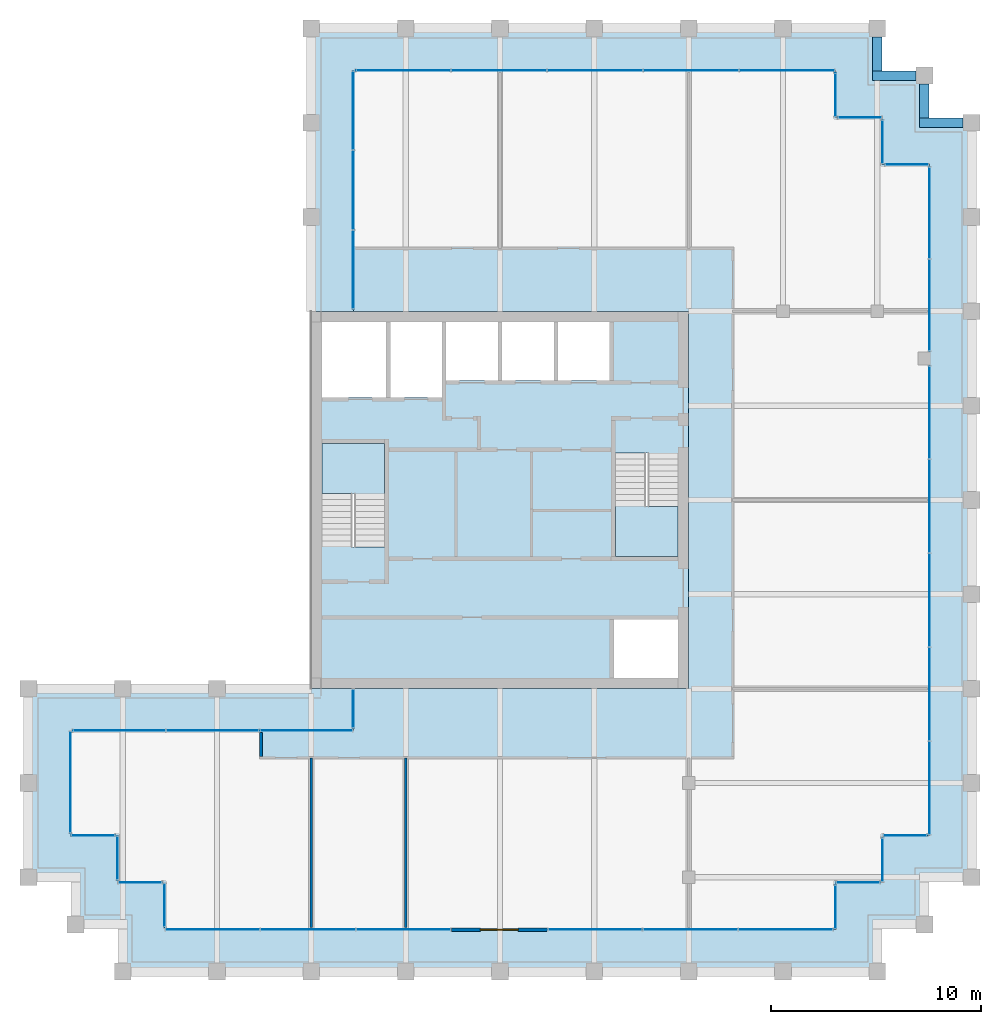
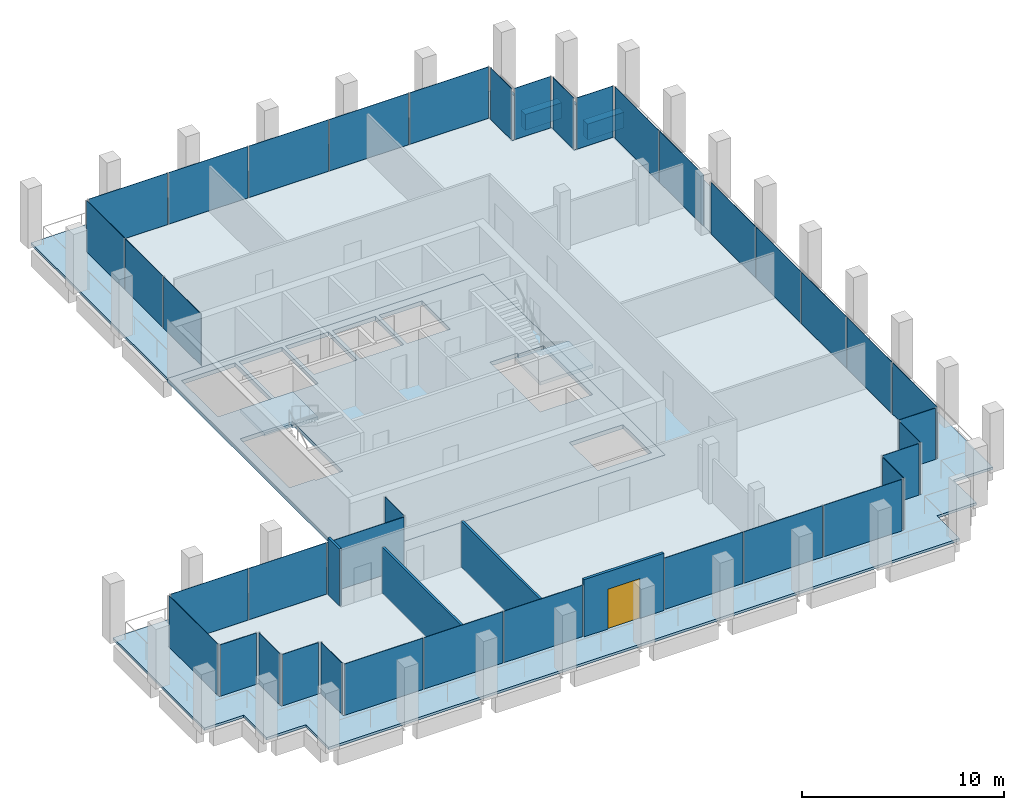
# One storey, part 27 of 30: 38 plates, 5 slabs, 4 beams, 4 walls, 1 door, 1 opening, 23 elements without a shape of their own.
"""IFC4 building model written with IfcOpenShell, lengths in metres."""

from ifc_helpers import new_model, si_unit, direction, frame, frame_2d, origin, origin_2d, place, context, subcontext, project, spatial, polyline, rectangle, outline, extrude, material, layer, layer_set, material_profile, profile_set, type_object, element, fill, aggregate, save


model = new_model("IFC4")

# Units and contexts
model_context = context("Model", 3, precision=1e-05, world=origin(), true_north=direction((0.0, 1.0)))
body_context = subcontext(model_context, "Body", "Model", "MODEL_VIEW")
ifc_project = project(units=[si_unit("LENGTHUNIT", "METRE"), si_unit("AREAUNIT", "SQUARE_METRE"), si_unit("VOLUMEUNIT", "CUBIC_METRE"), si_unit("PLANEANGLEUNIT", "RADIAN"), si_unit("MASSUNIT", "GRAM", prefix="KILO")], contexts=[model_context])

# Site, building, storey
site_placement = place(None, origin())
site = spatial("IfcSite", under=ifc_project, at=site_placement, CompositionType="ELEMENT")
building_placement = place(site_placement, origin())
building = spatial("IfcBuilding", under=site, at=building_placement, Name="Altepetl Exchange Towers", CompositionType="ELEMENT")
storey_placement = place(building_placement, frame((0.0, 0.0, 228.0)))
storey = spatial("IfcBuildingStorey", under=building, at=storey_placement, Name="L58", CompositionType="ELEMENT", Elevation=228.0)

# Beams
ifc_material_1 = material(Name="Concrete C50/60 precast with cantera rosa facing", Category="concrete")
ifc_material_profile = material_profile(ifc_material_1, rectangle(XDim=0.449951171875, YDim=0.949951171875, at=origin_2d()), Name="450 x 950")
ifc_profile_set = profile_set([ifc_material_profile], Name="Concrete C50/60 precast with cantera rosa facing")
beam_type = type_object("IfcBeamType", Name="Spandrel beam 450x950 cantera rosa", PredefinedType="SPANDREL", material=ifc_profile_set)
beam_1_placement = place(storey_placement, frame((71.60009765625, 67.5, -0.625), z_axis=(-1.0, 0.0, 0.0), x_axis=(0.0, -1.0, 0.0)))
element("IfcBeam", 1, at=beam_1_placement, inside=storey, type_object=beam_type, Name="sp:A:L58:020", PredefinedType="SPANDREL", context=body_context, shape_type="SweptSolid", body=[
    extrude(rectangle(XDim=0.449951171875, YDim=0.949951171875, at=origin_2d()), origin(), (0.0, 0.0, 1.0), 2.0751953125),
])
beam_2_placement = place(storey_placement, frame((69.75, 67.72509765625, -0.625), z_axis=(0.0, 1.0, 0.0), x_axis=(-1.0, 0.0, 0.0)))
element("IfcBeam", 2, at=beam_2_placement, inside=storey, type_object=beam_type, Name="sp:A:L58:021", PredefinedType="SPANDREL", context=body_context, shape_type="SweptSolid", body=[
    extrude(rectangle(XDim=0.449951171875, YDim=0.949951171875, at=origin_2d()), origin(), (0.0, 0.0, 1.0), 1.625),
])
beam_3_placement = place(storey_placement, frame((69.35009765625, 69.75, -0.625), z_axis=(-1.0, 0.0, 0.0), x_axis=(0.0, -1.0, 0.0)))
element("IfcBeam", 3, at=beam_3_placement, inside=storey, type_object=beam_type, Name="sp:A:L58:022", PredefinedType="SPANDREL", context=body_context, shape_type="SweptSolid", body=[
    extrude(rectangle(XDim=0.449951171875, YDim=0.949951171875, at=origin_2d()), origin(), (0.0, 0.0, 1.0), 2.0751953125),
])
beam_4_placement = place(storey_placement, frame((67.5, 69.97509765625, -0.625), z_axis=(0.0, 1.0, 0.0), x_axis=(-1.0, 0.0, 0.0)))
element("IfcBeam", 4, at=beam_4_placement, inside=storey, type_object=beam_type, Name="sp:A:L58:023", PredefinedType="SPANDREL", context=body_context, shape_type="SweptSolid", body=[
    extrude(rectangle(XDim=0.449951171875, YDim=0.949951171875, at=origin_2d()), origin(), (0.0, 0.0, 1.0), 1.625),
])

# Slabs
ifc_material_2 = material(Name="Concrete C40/50", Category="concrete")
ifc_layer_1 = layer(ifc_material_2, 0.14990234375)
ifc_layer_set_1 = layer_set([ifc_layer_1], Name="Concrete C40/50")
slab_type_1 = type_object("IfcSlabType", Name="Composite floor slab 150", PredefinedType="FLOOR", material=ifc_layer_set_1)
slab_1_placement = place(storey_placement, frame((0.0, 0.0, -0.14990234375)))
element("IfcSlab", 5, at=slab_1_placement, inside=storey, type_object=slab_type_1, Name="slab:A:L58:strip0", PredefinedType="FLOOR", context=body_context, shape_type="SweptSolid", body=[
    extrude(outline(polyline([(42.5, 70.0), (42.5, 58.5), (58.5, 58.5), (58.5, 40.5), (42.5, 40.5), (42.5, 38.5), (29.0, 38.5), (29.0, 33.5), (31.25, 33.5), (31.25, 31.25), (33.5, 31.25), (33.5, 29.0), (65.5, 29.0), (65.5, 31.25), (67.75, 31.25), (67.75, 33.5), (70.0, 33.5), (70.0, 65.5), (67.75, 65.5), (67.75, 67.75), (65.5, 67.75), (65.5, 70.0), (42.5, 70.0)])), origin(), (0.0, 0.0, 1.0), 0.14990234375),
])
ifc_layer_2 = layer(ifc_material_2, 0.25)
ifc_layer_set_2 = layer_set([ifc_layer_2], Name="Concrete C40/50")
slab_type_2 = type_object("IfcSlabType", Name="Core floor slab 250", PredefinedType="FLOOR", material=ifc_layer_set_2)
slab_2_placement = place(storey_placement, frame((0.0, 0.0, -0.25)))
element("IfcSlab", 6, at=slab_2_placement, inside=storey, type_object=slab_type_2, Name="slab:A:L58:core0", PredefinedType="FLOOR", context=body_context, shape_type="SweptSolid", body=[
    extrude(outline(polyline([(40.5, 40.5), (58.5, 40.5), (58.5, 58.5), (40.5, 58.5), (40.5, 40.5)]), holes=[polyline([(54.93310546875, 43.800048828125), (58.0, 43.800048828125), (58.0, 41.0), (54.93310546875, 41.0), (54.93310546875, 43.800048828125)]), polyline([(55.0, 51.7490234375), (56.550048828125, 51.7490234375), (56.550048828125, 51.64990234375), (58.0, 51.64990234375), (58.0, 46.800048828125), (55.0, 46.800048828125), (55.0, 51.7490234375)]), polyline([(44.0, 47.2509765625), (42.449951171875, 47.2509765625), (42.449951171875, 47.35009765625), (41.0, 47.35009765625), (41.0, 52.199951171875), (44.0, 52.199951171875), (44.0, 47.2509765625)]), polyline([(41.0, 58.0), (44.06689453125, 58.0), (44.06689453125, 54.39990234375), (41.0, 54.39990234375), (41.0, 58.0)]), polyline([(44.26708984375, 58.0), (46.73291015625, 58.0), (46.73291015625, 54.39990234375), (44.26708984375, 54.39990234375), (44.26708984375, 58.0)]), polyline([(46.93310546875, 58.0), (49.39990234375, 58.0), (49.39990234375, 55.199951171875), (46.93310546875, 55.199951171875), (46.93310546875, 58.0)]), polyline([(49.60009765625, 58.0), (52.06689453125, 58.0), (52.06689453125, 55.199951171875), (49.60009765625, 55.199951171875), (49.60009765625, 58.0)]), polyline([(52.26708984375, 58.0), (54.73291015625, 58.0), (54.73291015625, 55.199951171875), (52.26708984375, 55.199951171875), (52.26708984375, 58.0)])]), origin(), (0.0, 0.0, 1.0), 0.25),
])

# Curtain wall, plate
ifc_material_3 = material(Name="Aluminium 6063-T6 glazing", Category="aluminium")
curtain_wall_type = type_object("IfcCurtainWallType", Name="Loggia glazing system", PredefinedType="NOTDEFINED", material=ifc_material_3)
curtain_wall_1_placement = place(storey_placement, origin())
curtain_wall_1 = element("IfcCurtainWall", 7, at=curtain_wall_1_placement, inside=storey, type_object=curtain_wall_type, Name="CW1 run", PredefinedType="NOTDEFINED")
ifc_material_4 = material(Name="Glass 6-16-6 low emissivity", Category="glass")
ifc_layer_3 = layer(ifc_material_4, 0.028076171875)
ifc_layer_set_3 = layer_set([ifc_layer_3], Name="Glass 6-16-6 low emissivity")
plate_type = type_object("IfcPlateType", Name="Glass panel 28 double glazed", PredefinedType="CURTAIN_PANEL", material=ifc_layer_set_3)
plate_1_placement = place(storey_placement, frame((42.5, 39.53759765625, 0.0), z_axis=(0.0, 0.0, 1.0), x_axis=(0.0, -1.0, 0.0)))
plate_1 = element("IfcPlate", 8, at=plate_1_placement, type_object=plate_type, Name="GP1 panel", PredefinedType="CURTAIN_PANEL", context=body_context, shape_type="SweptSolid", body=[
    extrude(rectangle(XDim=1.804931640625, YDim=0.028076171875, at=origin_2d()), origin(), (0.0, 0.0, 1.0), 3.10009765625),
])
aggregate(curtain_wall_1, [plate_1])

# Curtain wall, plates
curtain_wall_2_placement = place(storey_placement, origin())
curtain_wall_2 = element("IfcCurtainWall", 9, at=curtain_wall_2_placement, inside=storey, type_object=curtain_wall_type, Name="CW1 run", PredefinedType="NOTDEFINED")
plate_2_placement = place(storey_placement, frame((40.24755859375, 38.5, 0.0), z_axis=(0.0, 0.0, 1.0), x_axis=(-1.0, 0.0, 0.0)))
plate_2 = element("IfcPlate", 10, at=plate_2_placement, type_object=plate_type, Name="GP1 panel", PredefinedType="CURTAIN_PANEL", context=body_context, shape_type="SweptSolid", body=[
    extrude(rectangle(XDim=4.385009765625, YDim=0.028076171875, at=origin_2d()), origin(), (0.0, 0.0, 1.0), 3.10009765625),
])
plate_3_placement = place(storey_placement, frame((35.78759765625, 38.5, 0.0), z_axis=(0.0, 0.0, 1.0), x_axis=(-1.0, 0.0, 0.0)))
plate_3 = element("IfcPlate", 11, at=plate_3_placement, type_object=plate_type, Name="GP1 panel", PredefinedType="CURTAIN_PANEL", context=body_context, shape_type="SweptSolid", body=[
    extrude(rectangle(XDim=4.4150390625, YDim=0.028076171875, at=origin_2d()), origin(), (0.0, 0.0, 1.0), 3.10009765625),
])
plate_4_placement = place(storey_placement, frame((31.327392578125, 38.5, 0.0), z_axis=(0.0, 0.0, 1.0), x_axis=(-1.0, 0.0, 0.0)))
plate_4 = element("IfcPlate", 12, at=plate_4_placement, type_object=plate_type, Name="GP1 panel", PredefinedType="CURTAIN_PANEL", context=body_context, shape_type="SweptSolid", body=[
    extrude(rectangle(XDim=4.385009765625, YDim=0.028076171875, at=origin_2d()), origin(), (0.0, 0.0, 1.0), 3.10009765625),
])
aggregate(curtain_wall_2, [plate_2, plate_3, plate_4])

# Curtain wall, plate
curtain_wall_3_placement = place(storey_placement, origin())
curtain_wall_3 = element("IfcCurtainWall", 13, at=curtain_wall_3_placement, inside=storey, type_object=curtain_wall_type, Name="CW1 run", PredefinedType="NOTDEFINED")
plate_5_placement = place(storey_placement, frame((29.0, 36.03759765625, 0.0), z_axis=(0.0, 0.0, 1.0), x_axis=(0.0, -1.0, 0.0)))
plate_5 = element("IfcPlate", 14, at=plate_5_placement, type_object=plate_type, Name="GP1 panel", PredefinedType="CURTAIN_PANEL", context=body_context, shape_type="SweptSolid", body=[
    extrude(rectangle(XDim=4.804931640625, YDim=0.028076171875, at=origin_2d()), origin(), (0.0, 0.0, 1.0), 3.10009765625),
])
aggregate(curtain_wall_3, [plate_5])

curtain_wall_4_placement = place(storey_placement, origin())
curtain_wall_4 = element("IfcCurtainWall", 15, at=curtain_wall_4_placement, inside=storey, type_object=curtain_wall_type, Name="CW1 run", PredefinedType="NOTDEFINED")
plate_6_placement = place(storey_placement, frame((30.08740234375, 33.5, 0.0)))
plate_6 = element("IfcPlate", 16, at=plate_6_placement, type_object=plate_type, Name="GP1 panel", PredefinedType="CURTAIN_PANEL", context=body_context, shape_type="SweptSolid", body=[
    extrude(rectangle(XDim=2.054931640625, YDim=0.028076171875, at=origin_2d()), origin(), (0.0, 0.0, 1.0), 3.10009765625),
])
aggregate(curtain_wall_4, [plate_6])

curtain_wall_5_placement = place(storey_placement, origin())
curtain_wall_5 = element("IfcCurtainWall", 17, at=curtain_wall_5_placement, inside=storey, type_object=curtain_wall_type, Name="CW1 run", PredefinedType="NOTDEFINED")
plate_7_placement = place(storey_placement, frame((31.25, 32.41259765625, 0.0), z_axis=(0.0, 0.0, 1.0), x_axis=(0.0, -1.0, 0.0)))
plate_7 = element("IfcPlate", 18, at=plate_7_placement, type_object=plate_type, Name="GP1 panel", PredefinedType="CURTAIN_PANEL", context=body_context, shape_type="SweptSolid", body=[
    extrude(rectangle(XDim=2.054931640625, YDim=0.028076171875, at=origin_2d()), origin(), (0.0, 0.0, 1.0), 3.10009765625),
])
aggregate(curtain_wall_5, [plate_7])

curtain_wall_6_placement = place(storey_placement, origin())
curtain_wall_6 = element("IfcCurtainWall", 19, at=curtain_wall_6_placement, inside=storey, type_object=curtain_wall_type, Name="CW1 run", PredefinedType="NOTDEFINED")
plate_8_placement = place(storey_placement, frame((32.33740234375, 31.25, 0.0)))
plate_8 = element("IfcPlate", 20, at=plate_8_placement, type_object=plate_type, Name="GP1 panel", PredefinedType="CURTAIN_PANEL", context=body_context, shape_type="SweptSolid", body=[
    extrude(rectangle(XDim=2.054931640625, YDim=0.028076171875, at=origin_2d()), origin(), (0.0, 0.0, 1.0), 3.10009765625),
])
aggregate(curtain_wall_6, [plate_8])

curtain_wall_7_placement = place(storey_placement, origin())
curtain_wall_7 = element("IfcCurtainWall", 21, at=curtain_wall_7_placement, inside=storey, type_object=curtain_wall_type, Name="CW1 run", PredefinedType="NOTDEFINED")
plate_9_placement = place(storey_placement, frame((33.5, 30.16259765625, 0.0), z_axis=(0.0, 0.0, 1.0), x_axis=(0.0, -1.0, 0.0)))
plate_9 = element("IfcPlate", 22, at=plate_9_placement, type_object=plate_type, Name="GP1 panel", PredefinedType="CURTAIN_PANEL", context=body_context, shape_type="SweptSolid", body=[
    extrude(rectangle(XDim=2.054931640625, YDim=0.028076171875, at=origin_2d()), origin(), (0.0, 0.0, 1.0), 3.10009765625),
])
aggregate(curtain_wall_7, [plate_9])

# Curtain wall, plates
curtain_wall_8_placement = place(storey_placement, origin())
curtain_wall_8 = element("IfcCurtainWall", 23, at=curtain_wall_8_placement, inside=storey, type_object=curtain_wall_type, Name="CW1 run", PredefinedType="NOTDEFINED")
plate_10_placement = place(storey_placement, frame((35.79541015625, 29.0, 0.0)))
plate_10 = element("IfcPlate", 24, at=plate_10_placement, type_object=plate_type, Name="GP1 panel", PredefinedType="CURTAIN_PANEL", context=body_context, shape_type="SweptSolid", body=[
    extrude(rectangle(XDim=4.470703125, YDim=0.028076171875, at=origin_2d()), origin(), (0.0, 0.0, 1.0), 3.10009765625),
])
plate_11_placement = place(storey_placement, frame((40.341064453125, 29.0, 0.0)))
plate_11 = element("IfcPlate", 25, at=plate_11_placement, type_object=plate_type, Name="GP1 panel", PredefinedType="CURTAIN_PANEL", context=body_context, shape_type="SweptSolid", body=[
    extrude(rectangle(XDim=4.500732421875, YDim=0.028076171875, at=origin_2d()), origin(), (0.0, 0.0, 1.0), 3.10009765625),
])
plate_12_placement = place(storey_placement, frame((44.88671875, 29.0, 0.0)))
plate_12 = element("IfcPlate", 26, at=plate_12_placement, type_object=plate_type, Name="GP1 panel", PredefinedType="CURTAIN_PANEL", context=body_context, shape_type="SweptSolid", body=[
    extrude(rectangle(XDim=4.470703125, YDim=0.028076171875, at=origin_2d()), origin(), (0.0, 0.0, 1.0), 3.10009765625),
])
aggregate(curtain_wall_8, [plate_10, plate_11, plate_12])

curtain_wall_9_placement = place(storey_placement, origin())
curtain_wall_9 = element("IfcCurtainWall", 27, at=curtain_wall_9_placement, inside=storey, type_object=curtain_wall_type, Name="CW1 run", PredefinedType="NOTDEFINED")
plate_13_placement = place(storey_placement, frame((54.038330078125, 29.0, 0.0)))
plate_13 = element("IfcPlate", 28, at=plate_13_placement, type_object=plate_type, Name="GP1 panel", PredefinedType="CURTAIN_PANEL", context=body_context, shape_type="SweptSolid", body=[
    extrude(rectangle(XDim=4.470703125, YDim=0.028076171875, at=origin_2d()), origin(), (0.0, 0.0, 1.0), 3.10009765625),
])
plate_14_placement = place(storey_placement, frame((58.583984375, 29.0, 0.0)))
plate_14 = element("IfcPlate", 29, at=plate_14_placement, type_object=plate_type, Name="GP1 panel", PredefinedType="CURTAIN_PANEL", context=body_context, shape_type="SweptSolid", body=[
    extrude(rectangle(XDim=4.500732421875, YDim=0.028076171875, at=origin_2d()), origin(), (0.0, 0.0, 1.0), 3.10009765625),
])
plate_15_placement = place(storey_placement, frame((63.129638671875, 29.0, 0.0)))
plate_15 = element("IfcPlate", 30, at=plate_15_placement, type_object=plate_type, Name="GP1 panel", PredefinedType="CURTAIN_PANEL", context=body_context, shape_type="SweptSolid", body=[
    extrude(rectangle(XDim=4.470703125, YDim=0.028076171875, at=origin_2d()), origin(), (0.0, 0.0, 1.0), 3.10009765625),
])
aggregate(curtain_wall_9, [plate_13, plate_14, plate_15])

# Curtain wall, plate
curtain_wall_10_placement = place(storey_placement, origin())
curtain_wall_10 = element("IfcCurtainWall", 31, at=curtain_wall_10_placement, inside=storey, type_object=curtain_wall_type, Name="CW1 run", PredefinedType="NOTDEFINED")
plate_16_placement = place(storey_placement, frame((65.5, 30.08740234375, 0.0), z_axis=(0.0, 0.0, 1.0), x_axis=(0.0, 1.0, 0.0)))
plate_16 = element("IfcPlate", 32, at=plate_16_placement, type_object=plate_type, Name="GP1 panel", PredefinedType="CURTAIN_PANEL", context=body_context, shape_type="SweptSolid", body=[
    extrude(rectangle(XDim=2.054931640625, YDim=0.028076171875, at=origin_2d()), origin(), (0.0, 0.0, 1.0), 3.10009765625),
])
aggregate(curtain_wall_10, [plate_16])

curtain_wall_11_placement = place(storey_placement, origin())
curtain_wall_11 = element("IfcCurtainWall", 33, at=curtain_wall_11_placement, inside=storey, type_object=curtain_wall_type, Name="CW1 run", PredefinedType="NOTDEFINED")
plate_17_placement = place(storey_placement, frame((66.58740234375, 31.25, 0.0)))
plate_17 = element("IfcPlate", 34, at=plate_17_placement, type_object=plate_type, Name="GP1 panel", PredefinedType="CURTAIN_PANEL", context=body_context, shape_type="SweptSolid", body=[
    extrude(rectangle(XDim=2.054931640625, YDim=0.028076171875, at=origin_2d()), origin(), (0.0, 0.0, 1.0), 3.10009765625),
])
aggregate(curtain_wall_11, [plate_17])

curtain_wall_12_placement = place(storey_placement, origin())
curtain_wall_12 = element("IfcCurtainWall", 35, at=curtain_wall_12_placement, inside=storey, type_object=curtain_wall_type, Name="CW1 run", PredefinedType="NOTDEFINED")
plate_18_placement = place(storey_placement, frame((67.75, 32.33740234375, 0.0), z_axis=(0.0, 0.0, 1.0), x_axis=(0.0, 1.0, 0.0)))
plate_18 = element("IfcPlate", 36, at=plate_18_placement, type_object=plate_type, Name="GP1 panel", PredefinedType="CURTAIN_PANEL", context=body_context, shape_type="SweptSolid", body=[
    extrude(rectangle(XDim=2.054931640625, YDim=0.028076171875, at=origin_2d()), origin(), (0.0, 0.0, 1.0), 3.10009765625),
])
aggregate(curtain_wall_12, [plate_18])

curtain_wall_13_placement = place(storey_placement, origin())
curtain_wall_13 = element("IfcCurtainWall", 37, at=curtain_wall_13_placement, inside=storey, type_object=curtain_wall_type, Name="CW1 run", PredefinedType="NOTDEFINED")
plate_19_placement = place(storey_placement, frame((68.83740234375, 33.5, 0.0)))
plate_19 = element("IfcPlate", 38, at=plate_19_placement, type_object=plate_type, Name="GP1 panel", PredefinedType="CURTAIN_PANEL", context=body_context, shape_type="SweptSolid", body=[
    extrude(rectangle(XDim=2.054931640625, YDim=0.028076171875, at=origin_2d()), origin(), (0.0, 0.0, 1.0), 3.10009765625),
])
aggregate(curtain_wall_13, [plate_19])

# Curtain wall, plates
curtain_wall_14_placement = place(storey_placement, origin())
curtain_wall_14 = element("IfcCurtainWall", 39, at=curtain_wall_14_placement, inside=storey, type_object=curtain_wall_type, Name="CW1 run", PredefinedType="NOTDEFINED")
plate_20_placement = place(storey_placement, frame((70.0, 35.758056640625, 0.0), z_axis=(0.0, 0.0, 1.0), x_axis=(0.0, 1.0, 0.0)))
plate_20 = element("IfcPlate", 40, at=plate_20_placement, type_object=plate_type, Name="GP1 panel", PredefinedType="CURTAIN_PANEL", context=body_context, shape_type="SweptSolid", body=[
    extrude(rectangle(XDim=4.39599609375, YDim=0.028076171875, at=origin_2d()), origin(), (0.0, 0.0, 1.0), 3.10009765625),
])
plate_21_placement = place(storey_placement, frame((70.0, 40.22900390625, 0.0), z_axis=(0.0, 0.0, 1.0), x_axis=(0.0, 1.0, 0.0)))
plate_21 = element("IfcPlate", 41, at=plate_21_placement, type_object=plate_type, Name="GP1 panel", PredefinedType="CURTAIN_PANEL", context=body_context, shape_type="SweptSolid", body=[
    extrude(rectangle(XDim=4.426025390625, YDim=0.028076171875, at=origin_2d()), origin(), (0.0, 0.0, 1.0), 3.10009765625),
])
plate_22_placement = place(storey_placement, frame((70.0, 44.715087890625, 0.0), z_axis=(0.0, 0.0, 1.0), x_axis=(0.0, 1.0, 0.0)))
plate_22 = element("IfcPlate", 42, at=plate_22_placement, type_object=plate_type, Name="GP1 panel", PredefinedType="CURTAIN_PANEL", context=body_context, shape_type="SweptSolid", body=[
    extrude(rectangle(XDim=4.426025390625, YDim=0.028076171875, at=origin_2d()), origin(), (0.0, 0.0, 1.0), 3.10009765625),
])
plate_23_placement = place(storey_placement, frame((70.0, 49.200927734375, 0.0), z_axis=(0.0, 0.0, 1.0), x_axis=(0.0, 1.0, 0.0)))
plate_23 = element("IfcPlate", 43, at=plate_23_placement, type_object=plate_type, Name="GP1 panel", PredefinedType="CURTAIN_PANEL", context=body_context, shape_type="SweptSolid", body=[
    extrude(rectangle(XDim=4.426025390625, YDim=0.028076171875, at=origin_2d()), origin(), (0.0, 0.0, 1.0), 3.10009765625),
])
plate_24_placement = place(storey_placement, frame((70.0, 53.672119140625, 0.0), z_axis=(0.0, 0.0, 1.0), x_axis=(0.0, 1.0, 0.0)))
plate_24 = element("IfcPlate", 44, at=plate_24_placement, type_object=plate_type, Name="GP1 panel", PredefinedType="CURTAIN_PANEL", context=body_context, shape_type="SweptSolid", body=[
    extrude(rectangle(XDim=4.39599609375, YDim=0.028076171875, at=origin_2d()), origin(), (0.0, 0.0, 1.0), 3.10009765625),
])
aggregate(curtain_wall_14, [plate_20, plate_21, plate_22, plate_23, plate_24])

curtain_wall_15_placement = place(storey_placement, origin())
curtain_wall_15 = element("IfcCurtainWall", 45, at=curtain_wall_15_placement, inside=storey, type_object=curtain_wall_type, Name="CW1 run", PredefinedType="NOTDEFINED")
plate_25_placement = place(storey_placement, frame((70.0, 58.798828125, 0.0), z_axis=(0.0, 0.0, 1.0), x_axis=(0.0, 1.0, 0.0)))
plate_25 = element("IfcPlate", 46, at=plate_25_placement, type_object=plate_type, Name="GP1 panel", PredefinedType="CURTAIN_PANEL", context=body_context, shape_type="SweptSolid", body=[
    extrude(rectangle(XDim=4.33740234375, YDim=0.028076171875, at=origin_2d()), origin(), (0.0, 0.0, 1.0), 3.10009765625),
])
plate_26_placement = place(storey_placement, frame((70.0, 63.1962890625, 0.0), z_axis=(0.0, 0.0, 1.0), x_axis=(0.0, 1.0, 0.0)))
plate_26 = element("IfcPlate", 47, at=plate_26_placement, type_object=plate_type, Name="GP1 panel", PredefinedType="CURTAIN_PANEL", context=body_context, shape_type="SweptSolid", body=[
    extrude(rectangle(XDim=4.33740234375, YDim=0.028076171875, at=origin_2d()), origin(), (0.0, 0.0, 1.0), 3.10009765625),
])
aggregate(curtain_wall_15, [plate_25, plate_26])

# Curtain wall, plate
curtain_wall_16_placement = place(storey_placement, origin())
curtain_wall_16 = element("IfcCurtainWall", 48, at=curtain_wall_16_placement, inside=storey, type_object=curtain_wall_type, Name="CW1 run", PredefinedType="NOTDEFINED")
plate_27_placement = place(storey_placement, frame((68.91259765625, 65.5, 0.0), z_axis=(0.0, 0.0, 1.0), x_axis=(-1.0, 0.0, 0.0)))
plate_27 = element("IfcPlate", 49, at=plate_27_placement, type_object=plate_type, Name="GP1 panel", PredefinedType="CURTAIN_PANEL", context=body_context, shape_type="SweptSolid", body=[
    extrude(rectangle(XDim=2.054931640625, YDim=0.028076171875, at=origin_2d()), origin(), (0.0, 0.0, 1.0), 3.10009765625),
])
aggregate(curtain_wall_16, [plate_27])

curtain_wall_17_placement = place(storey_placement, origin())
curtain_wall_17 = element("IfcCurtainWall", 50, at=curtain_wall_17_placement, inside=storey, type_object=curtain_wall_type, Name="CW1 run", PredefinedType="NOTDEFINED")
plate_28_placement = place(storey_placement, frame((67.75, 66.58740234375, 0.0), z_axis=(0.0, 0.0, 1.0), x_axis=(0.0, 1.0, 0.0)))
plate_28 = element("IfcPlate", 51, at=plate_28_placement, type_object=plate_type, Name="GP1 panel", PredefinedType="CURTAIN_PANEL", context=body_context, shape_type="SweptSolid", body=[
    extrude(rectangle(XDim=2.054931640625, YDim=0.028076171875, at=origin_2d()), origin(), (0.0, 0.0, 1.0), 3.10009765625),
])
aggregate(curtain_wall_17, [plate_28])

curtain_wall_18_placement = place(storey_placement, origin())
curtain_wall_18 = element("IfcCurtainWall", 52, at=curtain_wall_18_placement, inside=storey, type_object=curtain_wall_type, Name="CW1 run", PredefinedType="NOTDEFINED")
plate_29_placement = place(storey_placement, frame((66.66259765625, 67.75, 0.0), z_axis=(0.0, 0.0, 1.0), x_axis=(-1.0, 0.0, 0.0)))
plate_29 = element("IfcPlate", 53, at=plate_29_placement, type_object=plate_type, Name="GP1 panel", PredefinedType="CURTAIN_PANEL", context=body_context, shape_type="SweptSolid", body=[
    extrude(rectangle(XDim=2.054931640625, YDim=0.028076171875, at=origin_2d()), origin(), (0.0, 0.0, 1.0), 3.10009765625),
])
aggregate(curtain_wall_18, [plate_29])

curtain_wall_19_placement = place(storey_placement, origin())
curtain_wall_19 = element("IfcCurtainWall", 54, at=curtain_wall_19_placement, inside=storey, type_object=curtain_wall_type, Name="CW1 run", PredefinedType="NOTDEFINED")
plate_30_placement = place(storey_placement, frame((65.5, 68.83740234375, 0.0), z_axis=(0.0, 0.0, 1.0), x_axis=(0.0, 1.0, 0.0)))
plate_30 = element("IfcPlate", 55, at=plate_30_placement, type_object=plate_type, Name="GP1 panel", PredefinedType="CURTAIN_PANEL", context=body_context, shape_type="SweptSolid", body=[
    extrude(rectangle(XDim=2.054931640625, YDim=0.028076171875, at=origin_2d()), origin(), (0.0, 0.0, 1.0), 3.10009765625),
])
aggregate(curtain_wall_19, [plate_30])

# Curtain wall, plates
curtain_wall_20_placement = place(storey_placement, origin())
curtain_wall_20 = element("IfcCurtainWall", 56, at=curtain_wall_20_placement, inside=storey, type_object=curtain_wall_type, Name="CW1 run", PredefinedType="NOTDEFINED")
plate_31_placement = place(storey_placement, frame((63.1923828125, 70.0, 0.0), z_axis=(0.0, 0.0, 1.0), x_axis=(-1.0, 0.0, 0.0)))
plate_31 = element("IfcPlate", 57, at=plate_31_placement, type_object=plate_type, Name="GP1 panel", PredefinedType="CURTAIN_PANEL", context=body_context, shape_type="SweptSolid", body=[
    extrude(rectangle(XDim=4.4951171875, YDim=0.028076171875, at=origin_2d()), origin(), (0.0, 0.0, 1.0), 3.10009765625),
])
plate_32_placement = place(storey_placement, frame((58.62255859375, 70.0, 0.0), z_axis=(0.0, 0.0, 1.0), x_axis=(-1.0, 0.0, 0.0)))
plate_32 = element("IfcPlate", 58, at=plate_32_placement, type_object=plate_type, Name="GP1 panel", PredefinedType="CURTAIN_PANEL", context=body_context, shape_type="SweptSolid", body=[
    extrude(rectangle(XDim=4.52490234375, YDim=0.028076171875, at=origin_2d()), origin(), (0.0, 0.0, 1.0), 3.10009765625),
])
plate_33_placement = place(storey_placement, frame((54.03759765625, 70.0, 0.0), z_axis=(0.0, 0.0, 1.0), x_axis=(-1.0, 0.0, 0.0)))
plate_33 = element("IfcPlate", 59, at=plate_33_placement, type_object=plate_type, Name="GP1 panel", PredefinedType="CURTAIN_PANEL", context=body_context, shape_type="SweptSolid", body=[
    extrude(rectangle(XDim=4.52490234375, YDim=0.028076171875, at=origin_2d()), origin(), (0.0, 0.0, 1.0), 3.10009765625),
])
plate_34_placement = place(storey_placement, frame((49.452392578125, 70.0, 0.0), z_axis=(0.0, 0.0, 1.0), x_axis=(-1.0, 0.0, 0.0)))
plate_34 = element("IfcPlate", 60, at=plate_34_placement, type_object=plate_type, Name="GP1 panel", PredefinedType="CURTAIN_PANEL", context=body_context, shape_type="SweptSolid", body=[
    extrude(rectangle(XDim=4.52490234375, YDim=0.028076171875, at=origin_2d()), origin(), (0.0, 0.0, 1.0), 3.10009765625),
])
plate_35_placement = place(storey_placement, frame((44.882568359375, 70.0, 0.0), z_axis=(0.0, 0.0, 1.0), x_axis=(-1.0, 0.0, 0.0)))
plate_35 = element("IfcPlate", 61, at=plate_35_placement, type_object=plate_type, Name="GP1 panel", PredefinedType="CURTAIN_PANEL", context=body_context, shape_type="SweptSolid", body=[
    extrude(rectangle(XDim=4.4951171875, YDim=0.028076171875, at=origin_2d()), origin(), (0.0, 0.0, 1.0), 3.10009765625),
])
aggregate(curtain_wall_20, [plate_31, plate_32, plate_33, plate_34, plate_35])

curtain_wall_21_placement = place(storey_placement, origin())
curtain_wall_21 = element("IfcCurtainWall", 62, at=curtain_wall_21_placement, inside=storey, type_object=curtain_wall_type, Name="CW1 run", PredefinedType="NOTDEFINED")
plate_36_placement = place(storey_placement, frame((42.5, 68.080810546875, 0.0), z_axis=(0.0, 0.0, 1.0), x_axis=(0.0, -1.0, 0.0)))
plate_36 = element("IfcPlate", 63, at=plate_36_placement, type_object=plate_type, Name="GP1 panel", PredefinedType="CURTAIN_PANEL", context=body_context, shape_type="SweptSolid", body=[
    extrude(rectangle(XDim=3.71826171875, YDim=0.028076171875, at=origin_2d()), origin(), (0.0, 0.0, 1.0), 3.10009765625),
])
plate_37_placement = place(storey_placement, frame((42.5, 64.28759765625, 0.0), z_axis=(0.0, 0.0, 1.0), x_axis=(0.0, -1.0, 0.0)))
plate_37 = element("IfcPlate", 64, at=plate_37_placement, type_object=plate_type, Name="GP1 panel", PredefinedType="CURTAIN_PANEL", context=body_context, shape_type="SweptSolid", body=[
    extrude(rectangle(XDim=3.748291015625, YDim=0.028076171875, at=origin_2d()), origin(), (0.0, 0.0, 1.0), 3.10009765625),
])
plate_38_placement = place(storey_placement, frame((42.5, 60.494140625, 0.0), z_axis=(0.0, 0.0, 1.0), x_axis=(0.0, -1.0, 0.0)))
plate_38 = element("IfcPlate", 65, at=plate_38_placement, type_object=plate_type, Name="GP1 panel", PredefinedType="CURTAIN_PANEL", context=body_context, shape_type="SweptSolid", body=[
    extrude(rectangle(XDim=3.71826171875, YDim=0.028076171875, at=origin_2d()), origin(), (0.0, 0.0, 1.0), 3.10009765625),
])
aggregate(curtain_wall_21, [plate_36, plate_37, plate_38])

# Slab
ifc_layer_4 = layer(ifc_material_2, 0.14990234375)
ifc_layer_set_4 = layer_set([ifc_layer_4], Name="Concrete C40/50")
slab_type_3 = type_object("IfcSlabType", Name="Loggia slab 150", PredefinedType="FLOOR", material=ifc_layer_set_4)
slab_3_placement = place(storey_placement, frame((0.0, 0.0, -0.14990234375)))
element("IfcSlab", 66, at=slab_3_placement, inside=storey, type_object=slab_type_3, Name="slab:A:L58:loggia0", PredefinedType="FLOOR", context=body_context, shape_type="SweptSolid", body=[
    extrude(outline(polyline([(40.5, 72.0), (40.5, 58.5), (42.5, 58.5), (42.5, 70.0), (65.5, 70.0), (65.5, 67.75), (67.75, 67.75), (67.75, 65.5), (70.0, 65.5), (70.0, 33.5), (67.75, 33.5), (67.75, 31.25), (65.5, 31.25), (65.5, 29.0), (33.5, 29.0), (33.5, 31.25), (31.25, 31.25), (31.25, 33.5), (29.0, 33.5), (29.0, 38.5), (42.5, 38.5), (42.5, 40.5), (40.5, 40.5), (27.0, 40.5), (27.0, 31.5), (29.25, 31.5), (29.25, 29.25), (31.5, 29.25), (31.5, 27.0), (58.5, 27.0), (67.5, 27.0), (67.5, 29.25), (69.75, 29.25), (69.75, 31.5), (72.0, 31.5), (72.0, 58.5), (72.0, 67.5), (69.75, 67.5), (69.75, 69.75), (67.5, 69.75), (67.5, 72.0), (40.5, 72.0)])), origin(), (0.0, 0.0, 1.0), 0.14990234375),
])

# Stair, slab
stair_type = type_object("IfcStairType", Name="Exit stair 1450 flights dogleg", PredefinedType="HALF_TURN_STAIR", material=ifc_material_2)
stair_1_placement = place(storey_placement, origin())
stair_1 = element("IfcStair", 67, at=stair_1_placement, inside=storey, type_object=stair_type, Name="Exit stair 1", PredefinedType="HALF_TURN_STAIR")
ifc_layer_5 = layer(ifc_material_2, 0.199951171875)
ifc_layer_set_5 = layer_set([ifc_layer_5], Name="Concrete C40/50")
slab_type_4 = type_object("IfcSlabType", Name="Stair landing 200 reinforced concrete", PredefinedType="LANDING", material=ifc_layer_set_5)
slab_4_placement = place(storey_placement, frame((0.0, 0.0, 1.60009765625)))
slab_4 = element("IfcSlab", 68, at=slab_4_placement, type_object=slab_type_4, Name="ST-A1f landing 1", PredefinedType="LANDING", context=body_context, shape_type="SweptSolid", body=[
    extrude(outline(polyline([(44.0, 49.715087890625), (42.550048828125, 49.715087890625), (42.550048828125, 49.81494140625), (42.449951171875, 49.81494140625), (42.449951171875, 49.814208984375), (41.0, 49.814208984375), (41.0, 49.81494140625), (41.0, 52.199951171875), (44.0, 52.199951171875), (44.0, 49.81494140625), (44.0, 49.715087890625)])), origin(), (0.0, 0.0, 1.0), 0.199951171875),
])
aggregate(stair_1, [slab_4])

stair_2_placement = place(storey_placement, origin())
stair_2 = element("IfcStair", 69, at=stair_2_placement, inside=storey, type_object=stair_type, Name="Exit stair 2", PredefinedType="HALF_TURN_STAIR")
slab_5_placement = place(storey_placement, frame((0.0, 0.0, 1.60009765625)))
slab_5 = element("IfcSlab", 70, at=slab_5_placement, type_object=slab_type_4, Name="ST-A2f landing 1", PredefinedType="LANDING", context=body_context, shape_type="SweptSolid", body=[
    extrude(outline(polyline([(58.0, 46.800048828125), (55.0, 46.800048828125), (55.0, 49.18505859375), (55.0, 49.284912109375), (56.449951171875, 49.284912109375), (56.449951171875, 49.18505859375), (56.550048828125, 49.18505859375), (56.550048828125, 49.185791015625), (58.0, 49.185791015625), (58.0, 49.18505859375), (58.0, 46.800048828125)])), origin(), (0.0, 0.0, 1.0), 0.199951171875),
])
aggregate(stair_2, [slab_5])

# Wall, opening, door
ifc_material_5 = material(Name="Aluminium composite cladding", Category="aluminium")
ifc_layer_6 = layer(ifc_material_5, 0.14990234375)
ifc_layer_set_6 = layer_set([ifc_layer_6], Name="Aluminium composite cladding")
wall_type_1 = type_object("IfcWallType", Name="Infill wall 150 aluminium panel", PredefinedType="SOLIDWALL", material=ifc_layer_set_6)
wall_1_placement = place(storey_placement, frame((47.18212890625, 29.0, 0.0)))
wall_1 = element("IfcWall", 71, at=wall_1_placement, inside=storey, type_object=wall_type_1, Name="Loggia door bay wall", PredefinedType="SOLIDWALL", context=body_context, shape_type="SweptSolid", body=[
    extrude(rectangle(XDim=4.560791015625, YDim=0.14990234375, at=frame_2d((2.2802734375, 0.0))), origin(), (0.0, 0.0, 1.0), 3.449951171875),
])
opening_placement = place(wall_1_placement, frame((1.38037109375, 0.0, 0.0)))
opening = element("IfcOpeningElement", 72, at=opening_placement, cuts=wall_1, Name="Opening L58.A90", PredefinedType="OPENING", context=body_context, shape_type="SweptSolid", body=[
    extrude(rectangle(XDim=1.800048828125, YDim=2.39990234375, at=frame_2d((0.89990234375, 1.199951171875))), frame((0.0, 0.0849609375, 0.0), z_axis=(0.0, -1.0, 0.0), x_axis=(1.0, 0.0, 0.0)), (0.0, 0.0, 1.0), 0.169921875),
])
ifc_material_6 = material(Name="Aluminium 6063-T6 and glass", Category="aluminium")
door_type = type_object("IfcDoorType", Name="Glazed door pair 1800x2400", OperationType="DOUBLE_DOOR_DOUBLE_SWING", PredefinedType="NOTDEFINED", material=ifc_material_6)
door_placement = place(opening_placement, frame((1.800048828125, 0.0, 0.0), x_axis=(-1.0, 0.0, 0.0)))
door = element("IfcDoor", 73, at=door_placement, inside=storey, type_object=door_type, Name="Loggia door", OperationType="DOUBLE_DOOR_DOUBLE_SWING", OverallHeight=2.39990234375, OverallWidth=1.800048828125, PredefinedType="NOTDEFINED", context=body_context, shape_type="SweptSolid", body=[
    extrude(rectangle(XDim=1.800048828125, YDim=2.39990234375, at=frame_2d((0.89990234375, 1.199951171875))), frame((0.0, 0.02490234375, 0.0), z_axis=(0.0, -1.0, 0.0), x_axis=(1.0, 0.0, 0.0)), (0.0, 0.0, 1.0), 0.050048828125),
])
fill(opening, door)

# Walls
ifc_material_7 = material(Name="Gypsum board on steel studs", Category="steel")
ifc_layer_7 = layer(ifc_material_7, 0.125)
ifc_layer_set_7 = layer_set([ifc_layer_7], Name="Gypsum board on steel studs")
wall_type_2 = type_object("IfcWallType", Name="Partition 125 gypsum board on steel studs", PredefinedType="PARTITIONING", material=ifc_layer_set_7)
wall_2_placement = place(storey_placement, frame((38.10009765625, 37.262451171875, 0.0), z_axis=(0.0, 0.0, 1.0), x_axis=(0.0, 1.0, 0.0)))
element("IfcWall", 74, at=wall_2_placement, inside=storey, type_object=wall_type_2, Name="wall:A:L58:P08", PredefinedType="PARTITIONING", context=body_context, shape_type="SweptSolid", body=[
    extrude(rectangle(XDim=1.137451171875, YDim=0.125, at=frame_2d((0.56884765625, 0.0))), origin(), (0.0, 0.0, 1.0), 3.449951171875),
])
for number, where, z_axis, x_axis, name in (
    (75, (40.5, 29.10009765625, 0.0), (0.0, 0.0, 1.0), (0.0, 1.0, 0.0), "wall:A:L58:P09"),
    (76, (45.0, 29.10009765625, 0.0), (0.0, 0.0, 1.0), (0.0, 1.0, 0.0), "wall:A:L58:P10"),
):
    element("IfcWall", number, at=place(storey_placement, frame(where, z_axis=z_axis, x_axis=x_axis)), inside=storey, type_object=wall_type_2, Name=name, PredefinedType="PARTITIONING", context=body_context, shape_type="SweptSolid", body=[
        extrude(rectangle(XDim=8.099853515625, YDim=0.125, at=frame_2d((4.0498046875, 0.0))), origin(), (0.0, 0.0, 1.0), 2.77197265625),
    ])

save(model, "model.ifc")
